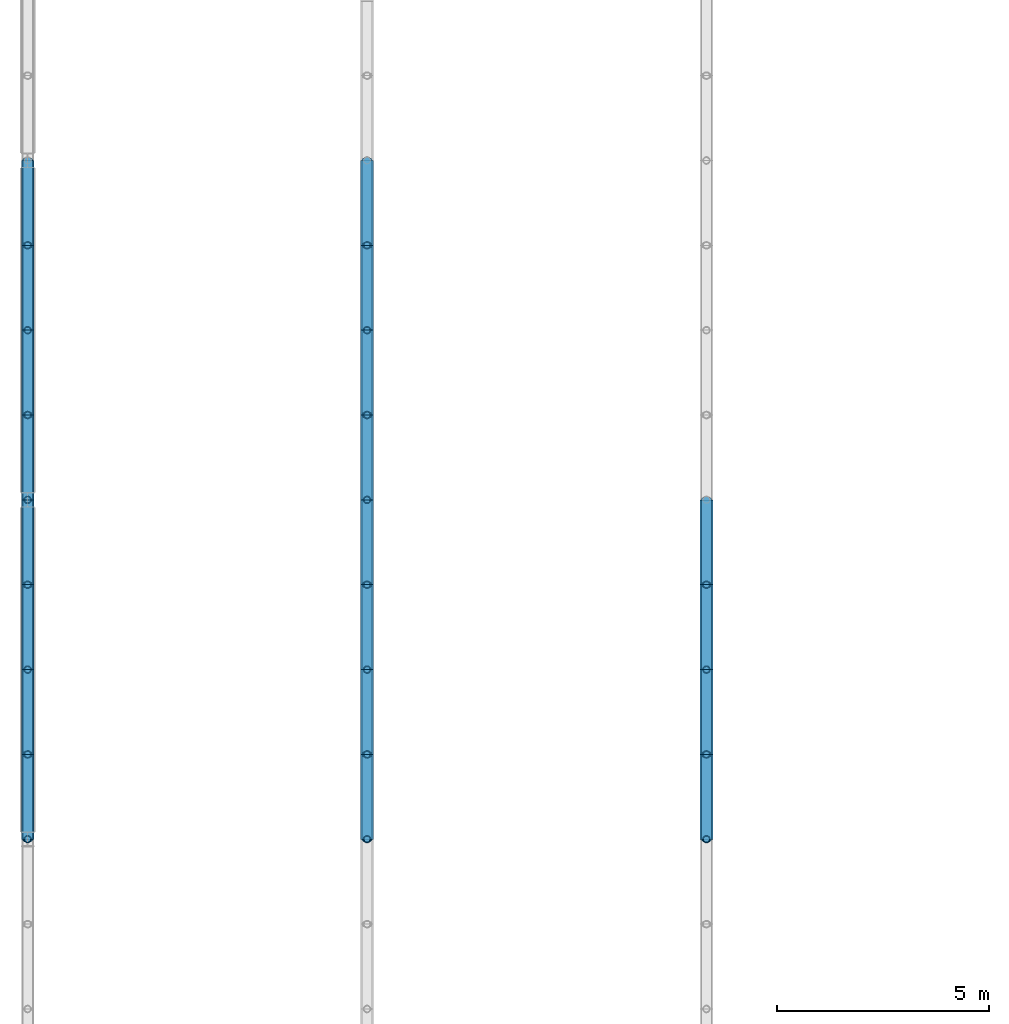
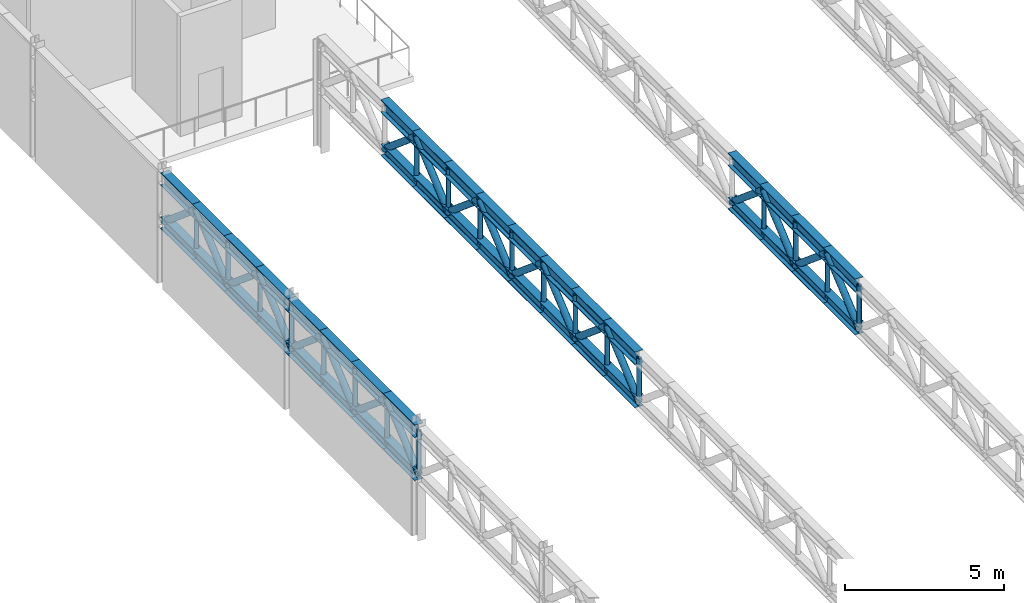
# One storey, part 16 of 67: 80 members.
"""IFC4 building model written with IfcOpenShell, lengths in metres."""

from ifc_helpers import new_model, si_unit, derived_unit, direction, frame, origin, origin_2d, place, context, subcontext, project, spatial, hollow_circle, i_section, extrude, material, material_profile, profile_set, type_object, element, save


model = new_model("IFC4")

# Units and contexts
model_context = context("Model", 3, precision=1e-05, world=origin(), true_north=direction((0.0, 1.0)))
body_context = subcontext(model_context, "Body", "Model", "MODEL_VIEW")
ifc_project = project(units=[si_unit("LENGTHUNIT", "METRE"), si_unit("AREAUNIT", "SQUARE_METRE"), si_unit("VOLUMEUNIT", "CUBIC_METRE"), si_unit("PLANEANGLEUNIT", "RADIAN"), si_unit("MASSUNIT", "GRAM", prefix="KILO"), derived_unit("THERMALTRANSMITTANCEUNIT", [(si_unit("POWERUNIT", "WATT"), 1), (si_unit("LENGTHUNIT", "METRE"), -2), (si_unit("THERMODYNAMICTEMPERATUREUNIT", "KELVIN"), -1)])], contexts=[model_context])

# Site, building, storey
site_placement = place(None, origin())
site = spatial("IfcSite", under=ifc_project, at=site_placement, CompositionType="ELEMENT")
building_placement = place(site_placement, origin())
building = spatial("IfcBuilding", under=site, at=building_placement, Name="Keldorne Ridge Multi-Sports Centre", CompositionType="ELEMENT")
storey_placement = place(building_placement, frame((0.0, 0.0, 14.0)))
storey = spatial("IfcBuildingStorey", under=building, at=storey_placement, Name="L03", CompositionType="ELEMENT", Elevation=14.0)

# Members
ifc_material = material(Name="Steel S355", Category="steel")
ifc_material_profile_1 = material_profile(ifc_material, i_section(OverallWidth=0.300048828125, OverallDepth=0.5, WebThickness=0.014404296875, FlangeThickness=0.028076171875, FilletRadius=0.027099609375, at=origin_2d()), Name="HEB 500")
ifc_profile_set_1 = profile_set([ifc_material_profile_1], Name="Steel S355")
member_type_1 = type_object("IfcMemberType", Name="MEM-TC-03", PredefinedType="CHORD", material=ifc_profile_set_1)
for number, where, z_axis, x_axis, name in (
    (1, (104.0, 22.0, 4.110107421875), (0.0, 1.0, 0.0), (-1.0, 0.0, 0.0), "Stacked Courts Warren TRUSS WT-L04-01 top chord 9"),
    (2, (104.0, 24.0, 4.110107421875), (0.0, 1.0, 0.0), (-1.0, 0.0, 0.0), "Stacked Courts Warren TRUSS WT-L04-01 top chord 10"),
    (3, (104.0, 26.0, 4.110107421875), (0.0, 1.0, 0.0), (-1.0, 0.0, 0.0), "Stacked Courts Warren TRUSS WT-L04-01 top chord 11"),
    (4, (104.0, 28.0, 4.110107421875), (0.0, 1.0, 0.0), (-1.0, 0.0, 0.0), "Stacked Courts Warren TRUSS WT-L04-01 top chord 12"),
    (5, (104.0, 30.0, 4.110107421875), (0.0, 1.0, 0.0), (-1.0, 0.0, 0.0), "Stacked Courts Warren TRUSS WT-L04-01 top chord 13"),
    (6, (104.0, 32.0, 4.110107421875), (0.0, 1.0, 0.0), (-1.0, 0.0, 0.0), "Stacked Courts Warren TRUSS WT-L04-01 top chord 14"),
    (7, (104.0, 34.0, 4.110107421875), (0.0, 1.0, 0.0), (-1.0, 0.0, 0.0), "Stacked Courts Warren TRUSS WT-L04-01 top chord 15"),
    (8, (104.0, 36.0, 4.110107421875), (0.0, 1.0, 0.0), (-1.0, 0.0, 0.0), "Stacked Courts Warren TRUSS WT-L04-01 top chord 16"),
    (9, (112.0, 22.0, 4.110107421875), (0.0, 1.0, 0.0), (-1.0, 0.0, 0.0), "Stacked Courts Warren TRUSS WT-L04-02 top chord 9"),
    (10, (112.0, 24.0, 4.110107421875), (0.0, 1.0, 0.0), (-1.0, 0.0, 0.0), "Stacked Courts Warren TRUSS WT-L04-02 top chord 10"),
    (11, (112.0, 26.0, 4.110107421875), (0.0, 1.0, 0.0), (-1.0, 0.0, 0.0), "Stacked Courts Warren TRUSS WT-L04-02 top chord 11"),
    (12, (112.0, 28.0, 4.110107421875), (0.0, 1.0, 0.0), (-1.0, 0.0, 0.0), "Stacked Courts Warren TRUSS WT-L04-02 top chord 12"),
    (13, (112.0, 30.0, 4.110107421875), (0.0, 1.0, 0.0), (-1.0, 0.0, 0.0), "Stacked Courts Warren TRUSS WT-L04-02 top chord 13"),
    (14, (112.0, 32.0, 4.110107421875), (0.0, 1.0, 0.0), (-1.0, 0.0, 0.0), "Stacked Courts Warren TRUSS WT-L04-02 top chord 14"),
    (15, (112.0, 34.0, 4.110107421875), (0.0, 1.0, 0.0), (-1.0, 0.0, 0.0), "Stacked Courts Warren TRUSS WT-L04-02 top chord 15"),
    (16, (112.0, 36.0, 4.110107421875), (0.0, 1.0, 0.0), (-1.0, 0.0, 0.0), "Stacked Courts Warren TRUSS WT-L04-02 top chord 16"),
    (17, (120.0, 22.0, 4.110107421875), (0.0, 1.0, 0.0), (-1.0, 0.0, 0.0), "Stacked Courts Warren TRUSS WT-L04-03 top chord 9"),
    (18, (120.0, 24.0, 4.110107421875), (0.0, 1.0, 0.0), (-1.0, 0.0, 0.0), "Stacked Courts Warren TRUSS WT-L04-03 top chord 10"),
    (19, (120.0, 26.0, 4.110107421875), (0.0, 1.0, 0.0), (-1.0, 0.0, 0.0), "Stacked Courts Warren TRUSS WT-L04-03 top chord 11"),
    (20, (120.0, 28.0, 4.110107421875), (0.0, 1.0, 0.0), (-1.0, 0.0, 0.0), "Stacked Courts Warren TRUSS WT-L04-03 top chord 12"),
):
    element("IfcMember", number, at=place(storey_placement, frame(where, z_axis=z_axis, x_axis=x_axis)), inside=storey, type_object=member_type_1, Name=name, PredefinedType="CHORD", context=body_context, shape_type="SweptSolid", body=[
        extrude(i_section(OverallWidth=0.300048828125, OverallDepth=0.5, WebThickness=0.014404296875, FlangeThickness=0.028076171875, FilletRadius=0.027099609375, at=origin_2d()), origin(), (0.0, 0.0, 1.0), 2.0),
    ])
ifc_material_profile_2 = material_profile(ifc_material, i_section(OverallWidth=0.300048828125, OverallDepth=0.449951171875, WebThickness=0.013916015625, FlangeThickness=0.02587890625, FilletRadius=0.027099609375, at=origin_2d()), Name="HEB 450")
ifc_profile_set_2 = profile_set([ifc_material_profile_2], Name="Steel S355")
member_type_2 = type_object("IfcMemberType", Name="MEM-TC-04", PredefinedType="CHORD", material=ifc_profile_set_2)
for number, where, z_axis, x_axis, name in (
    (21, (104.0, 22.0, 2.429931640625), (0.0, 1.0, 0.0), (-1.0, 0.0, 0.0), "Stacked Courts Warren TRUSS WT-L04-01 bottom chord 9"),
    (22, (104.0, 24.0, 2.429931640625), (0.0, 1.0, 0.0), (-1.0, 0.0, 0.0), "Stacked Courts Warren TRUSS WT-L04-01 bottom chord 10"),
    (23, (104.0, 26.0, 2.429931640625), (0.0, 1.0, 0.0), (-1.0, 0.0, 0.0), "Stacked Courts Warren TRUSS WT-L04-01 bottom chord 11"),
    (24, (104.0, 28.0, 2.429931640625), (0.0, 1.0, 0.0), (-1.0, 0.0, 0.0), "Stacked Courts Warren TRUSS WT-L04-01 bottom chord 12"),
    (25, (104.0, 30.0, 2.429931640625), (0.0, 1.0, 0.0), (-1.0, 0.0, 0.0), "Stacked Courts Warren TRUSS WT-L04-01 bottom chord 13"),
    (26, (104.0, 32.0, 2.429931640625), (0.0, 1.0, 0.0), (-1.0, 0.0, 0.0), "Stacked Courts Warren TRUSS WT-L04-01 bottom chord 14"),
    (27, (104.0, 34.0, 2.429931640625), (0.0, 1.0, 0.0), (-1.0, 0.0, 0.0), "Stacked Courts Warren TRUSS WT-L04-01 bottom chord 15"),
    (28, (104.0, 36.0, 2.429931640625), (0.0, 1.0, 0.0), (-1.0, 0.0, 0.0), "Stacked Courts Warren TRUSS WT-L04-01 bottom chord 16"),
    (29, (112.0, 22.0, 2.429931640625), (0.0, 1.0, 0.0), (-1.0, 0.0, 0.0), "Stacked Courts Warren TRUSS WT-L04-02 bottom chord 9"),
    (30, (112.0, 24.0, 2.429931640625), (0.0, 1.0, 0.0), (-1.0, 0.0, 0.0), "Stacked Courts Warren TRUSS WT-L04-02 bottom chord 10"),
    (31, (112.0, 26.0, 2.429931640625), (0.0, 1.0, 0.0), (-1.0, 0.0, 0.0), "Stacked Courts Warren TRUSS WT-L04-02 bottom chord 11"),
    (32, (112.0, 28.0, 2.429931640625), (0.0, 1.0, 0.0), (-1.0, 0.0, 0.0), "Stacked Courts Warren TRUSS WT-L04-02 bottom chord 12"),
    (33, (112.0, 30.0, 2.429931640625), (0.0, 1.0, 0.0), (-1.0, 0.0, 0.0), "Stacked Courts Warren TRUSS WT-L04-02 bottom chord 13"),
    (34, (112.0, 32.0, 2.429931640625), (0.0, 1.0, 0.0), (-1.0, 0.0, 0.0), "Stacked Courts Warren TRUSS WT-L04-02 bottom chord 14"),
    (35, (112.0, 34.0, 2.429931640625), (0.0, 1.0, 0.0), (-1.0, 0.0, 0.0), "Stacked Courts Warren TRUSS WT-L04-02 bottom chord 15"),
    (36, (112.0, 36.0, 2.429931640625), (0.0, 1.0, 0.0), (-1.0, 0.0, 0.0), "Stacked Courts Warren TRUSS WT-L04-02 bottom chord 16"),
    (37, (120.0, 22.0, 2.429931640625), (0.0, 1.0, 0.0), (-1.0, 0.0, 0.0), "Stacked Courts Warren TRUSS WT-L04-03 bottom chord 9"),
    (38, (120.0, 24.0, 2.429931640625), (0.0, 1.0, 0.0), (-1.0, 0.0, 0.0), "Stacked Courts Warren TRUSS WT-L04-03 bottom chord 10"),
    (39, (120.0, 26.0, 2.429931640625), (0.0, 1.0, 0.0), (-1.0, 0.0, 0.0), "Stacked Courts Warren TRUSS WT-L04-03 bottom chord 11"),
    (40, (120.0, 28.0, 2.429931640625), (0.0, 1.0, 0.0), (-1.0, 0.0, 0.0), "Stacked Courts Warren TRUSS WT-L04-03 bottom chord 12"),
):
    element("IfcMember", number, at=place(storey_placement, frame(where, z_axis=z_axis, x_axis=x_axis)), inside=storey, type_object=member_type_2, Name=name, PredefinedType="CHORD", context=body_context, shape_type="SweptSolid", body=[
        extrude(i_section(OverallWidth=0.300048828125, OverallDepth=0.449951171875, WebThickness=0.013916015625, FlangeThickness=0.02587890625, FilletRadius=0.027099609375, at=origin_2d()), origin(), (0.0, 0.0, 1.0), 2.0),
    ])
ifc_material_profile_3 = material_profile(ifc_material, hollow_circle(Radius=0.122314453125, WallThickness=0.012451171875, at=origin_2d()), Name="CHS 244.5x12.5")
ifc_profile_set_3 = profile_set([ifc_material_profile_3], Name="Steel S355")
member_type_3 = type_object("IfcMemberType", Name="MEM-TD-02", PredefinedType="BRACE", material=ifc_profile_set_3)
for number, where, z_axis, x_axis, name in (
    (41, (104.0, 22.0, 2.429931640625), (0.0, 0.765671721121, 0.643231541108), (-1.0, 0.0, 0.0), "Stacked Courts Warren TRUSS WT-L04-01 diagonal 9"),
    (42, (104.0, 24.0, 4.110107421875), (0.0, 0.765671721121, -0.643231541108), (-1.0, 0.0, 0.0), "Stacked Courts Warren TRUSS WT-L04-01 diagonal 10"),
    (43, (104.0, 26.0, 2.429931640625), (0.0, 0.765671721121, 0.643231541108), (-1.0, 0.0, 0.0), "Stacked Courts Warren TRUSS WT-L04-01 diagonal 11"),
    (44, (104.0, 28.0, 4.110107421875), (0.0, 0.765671721121, -0.643231541108), (-1.0, 0.0, 0.0), "Stacked Courts Warren TRUSS WT-L04-01 diagonal 12"),
    (45, (104.0, 30.0, 2.429931640625), (0.0, 0.765671721121, 0.643231541108), (-1.0, 0.0, 0.0), "Stacked Courts Warren TRUSS WT-L04-01 diagonal 13"),
    (46, (104.0, 32.0, 4.110107421875), (0.0, 0.765671721121, -0.643231541108), (-1.0, 0.0, 0.0), "Stacked Courts Warren TRUSS WT-L04-01 diagonal 14"),
    (47, (104.0, 34.0, 2.429931640625), (0.0, 0.765671721121, 0.643231541108), (-1.0, 0.0, 0.0), "Stacked Courts Warren TRUSS WT-L04-01 diagonal 15"),
    (48, (104.0, 36.0, 4.110107421875), (0.0, 0.765671721121, -0.643231541108), (-1.0, 0.0, 0.0), "Stacked Courts Warren TRUSS WT-L04-01 diagonal 16"),
    (49, (112.0, 22.0, 2.429931640625), (0.0, 0.765671721121, 0.643231541108), (-1.0, 0.0, 0.0), "Stacked Courts Warren TRUSS WT-L04-02 diagonal 9"),
    (50, (112.0, 24.0, 4.110107421875), (0.0, 0.765671721121, -0.643231541108), (-1.0, 0.0, 0.0), "Stacked Courts Warren TRUSS WT-L04-02 diagonal 10"),
    (51, (112.0, 26.0, 2.429931640625), (0.0, 0.765671721121, 0.643231541108), (-1.0, 0.0, 0.0), "Stacked Courts Warren TRUSS WT-L04-02 diagonal 11"),
    (52, (112.0, 28.0, 4.110107421875), (0.0, 0.765671721121, -0.643231541108), (-1.0, 0.0, 0.0), "Stacked Courts Warren TRUSS WT-L04-02 diagonal 12"),
    (53, (112.0, 30.0, 2.429931640625), (0.0, 0.765671721121, 0.643231541108), (-1.0, 0.0, 0.0), "Stacked Courts Warren TRUSS WT-L04-02 diagonal 13"),
    (54, (112.0, 32.0, 4.110107421875), (0.0, 0.765671721121, -0.643231541108), (-1.0, 0.0, 0.0), "Stacked Courts Warren TRUSS WT-L04-02 diagonal 14"),
    (55, (112.0, 34.0, 2.429931640625), (0.0, 0.765671721121, 0.643231541108), (-1.0, 0.0, 0.0), "Stacked Courts Warren TRUSS WT-L04-02 diagonal 15"),
    (56, (112.0, 36.0, 4.110107421875), (0.0, 0.765671721121, -0.643231541108), (-1.0, 0.0, 0.0), "Stacked Courts Warren TRUSS WT-L04-02 diagonal 16"),
    (57, (120.0, 22.0, 2.429931640625), (0.0, 0.765671721121, 0.643231541108), (-1.0, 0.0, 0.0), "Stacked Courts Warren TRUSS WT-L04-03 diagonal 9"),
    (58, (120.0, 24.0, 4.110107421875), (0.0, 0.765671721121, -0.643231541108), (-1.0, 0.0, 0.0), "Stacked Courts Warren TRUSS WT-L04-03 diagonal 10"),
    (59, (120.0, 26.0, 2.429931640625), (0.0, 0.765671721121, 0.643231541108), (-1.0, 0.0, 0.0), "Stacked Courts Warren TRUSS WT-L04-03 diagonal 11"),
    (60, (120.0, 28.0, 4.110107421875), (0.0, 0.765671721121, -0.643231541108), (-1.0, 0.0, 0.0), "Stacked Courts Warren TRUSS WT-L04-03 diagonal 12"),
):
    element("IfcMember", number, at=place(storey_placement, frame(where, z_axis=z_axis, x_axis=x_axis)), inside=storey, type_object=member_type_3, Name=name, PredefinedType="BRACE", context=body_context, shape_type="SweptSolid", body=[
        extrude(hollow_circle(Radius=0.122314453125, WallThickness=0.012451171875, at=origin_2d()), origin(), (0.0, 0.0, 1.0), 2.612060546875),
    ])
ifc_material_profile_4 = material_profile(ifc_material, hollow_circle(Radius=0.084228515625, WallThickness=0.010009765625, at=origin_2d()), Name="CHS 168.3x10")
ifc_profile_set_4 = profile_set([ifc_material_profile_4], Name="Steel S355")
member_type_4 = type_object("IfcMemberType", Name="MEM-TV-01", PredefinedType="STRUT", material=ifc_profile_set_4)
for number, where, z_axis, x_axis, name in (
    (61, (104.0, 22.0, 2.429931640625), (0.0, 0.0, 1.0), (1.0, 0.0, 0.0), "Stacked Courts Warren TRUSS WT-L04-01 post 9"),
    (62, (104.0, 24.0, 2.429931640625), (0.0, 0.0, 1.0), (1.0, 0.0, 0.0), "Stacked Courts Warren TRUSS WT-L04-01 post 10"),
    (63, (104.0, 26.0, 2.429931640625), (0.0, 0.0, 1.0), (1.0, 0.0, 0.0), "Stacked Courts Warren TRUSS WT-L04-01 post 11"),
    (64, (104.0, 28.0, 2.429931640625), (0.0, 0.0, 1.0), (1.0, 0.0, 0.0), "Stacked Courts Warren TRUSS WT-L04-01 post 12"),
    (65, (104.0, 30.0, 2.429931640625), (0.0, 0.0, 1.0), (1.0, 0.0, 0.0), "Stacked Courts Warren TRUSS WT-L04-01 post 13"),
    (66, (104.0, 32.0, 2.429931640625), (0.0, 0.0, 1.0), (1.0, 0.0, 0.0), "Stacked Courts Warren TRUSS WT-L04-01 post 14"),
    (67, (104.0, 34.0, 2.429931640625), (0.0, 0.0, 1.0), (1.0, 0.0, 0.0), "Stacked Courts Warren TRUSS WT-L04-01 post 15"),
    (68, (104.0, 36.0, 2.429931640625), (0.0, 0.0, 1.0), (1.0, 0.0, 0.0), "Stacked Courts Warren TRUSS WT-L04-01 post 16"),
    (69, (112.0, 22.0, 2.429931640625), (0.0, 0.0, 1.0), (1.0, 0.0, 0.0), "Stacked Courts Warren TRUSS WT-L04-02 post 9"),
    (70, (112.0, 24.0, 2.429931640625), (0.0, 0.0, 1.0), (1.0, 0.0, 0.0), "Stacked Courts Warren TRUSS WT-L04-02 post 10"),
    (71, (112.0, 26.0, 2.429931640625), (0.0, 0.0, 1.0), (1.0, 0.0, 0.0), "Stacked Courts Warren TRUSS WT-L04-02 post 11"),
    (72, (112.0, 28.0, 2.429931640625), (0.0, 0.0, 1.0), (1.0, 0.0, 0.0), "Stacked Courts Warren TRUSS WT-L04-02 post 12"),
    (73, (112.0, 30.0, 2.429931640625), (0.0, 0.0, 1.0), (1.0, 0.0, 0.0), "Stacked Courts Warren TRUSS WT-L04-02 post 13"),
    (74, (112.0, 32.0, 2.429931640625), (0.0, 0.0, 1.0), (1.0, 0.0, 0.0), "Stacked Courts Warren TRUSS WT-L04-02 post 14"),
    (75, (112.0, 34.0, 2.429931640625), (0.0, 0.0, 1.0), (1.0, 0.0, 0.0), "Stacked Courts Warren TRUSS WT-L04-02 post 15"),
    (76, (112.0, 36.0, 2.429931640625), (0.0, 0.0, 1.0), (1.0, 0.0, 0.0), "Stacked Courts Warren TRUSS WT-L04-02 post 16"),
    (77, (120.0, 22.0, 2.429931640625), (0.0, 0.0, 1.0), (1.0, 0.0, 0.0), "Stacked Courts Warren TRUSS WT-L04-03 post 9"),
    (78, (120.0, 24.0, 2.429931640625), (0.0, 0.0, 1.0), (1.0, 0.0, 0.0), "Stacked Courts Warren TRUSS WT-L04-03 post 10"),
    (79, (120.0, 26.0, 2.429931640625), (0.0, 0.0, 1.0), (1.0, 0.0, 0.0), "Stacked Courts Warren TRUSS WT-L04-03 post 11"),
    (80, (120.0, 28.0, 2.429931640625), (0.0, 0.0, 1.0), (1.0, 0.0, 0.0), "Stacked Courts Warren TRUSS WT-L04-03 post 12"),
):
    element("IfcMember", number, at=place(storey_placement, frame(where, z_axis=z_axis, x_axis=x_axis)), inside=storey, type_object=member_type_4, Name=name, PredefinedType="STRUT", context=body_context, shape_type="SweptSolid", body=[
        extrude(hollow_circle(Radius=0.084228515625, WallThickness=0.010009765625, at=origin_2d()), origin(), (0.0, 0.0, 1.0), 1.68017578125),
    ])

save(model, "model.ifc")
